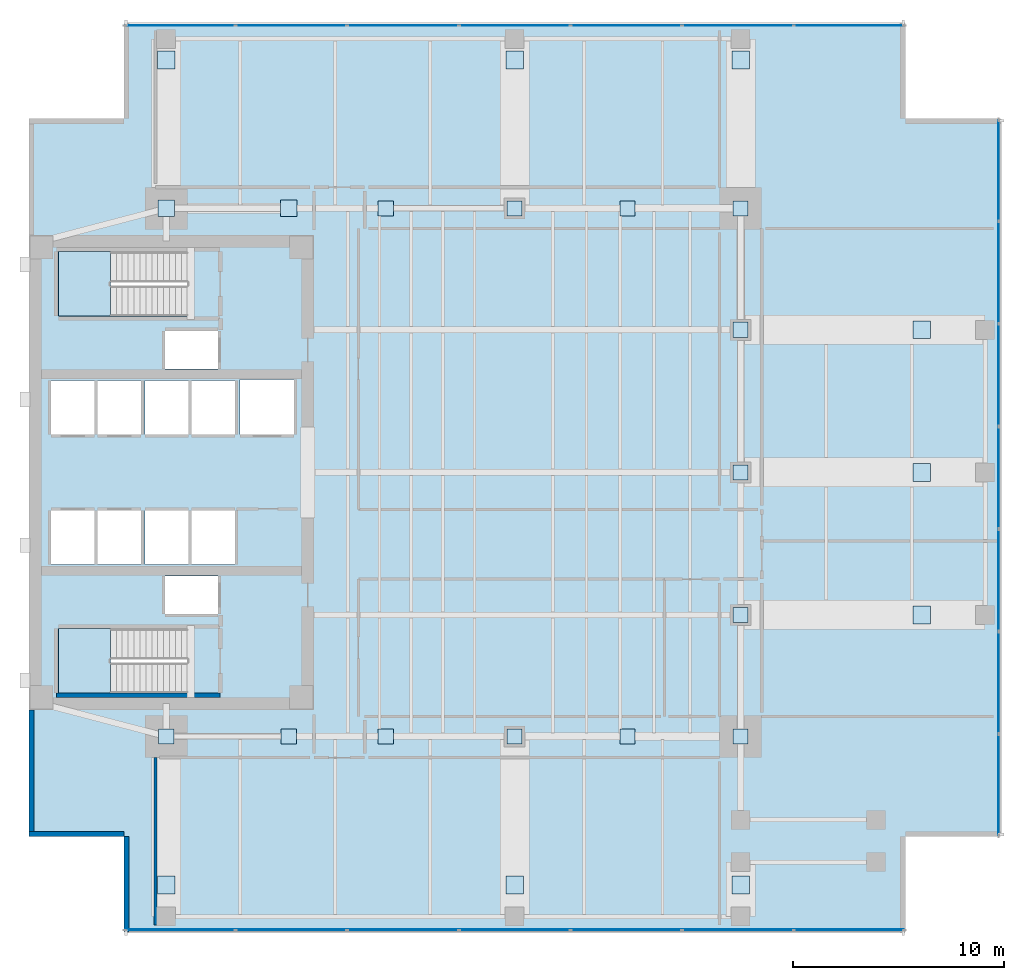
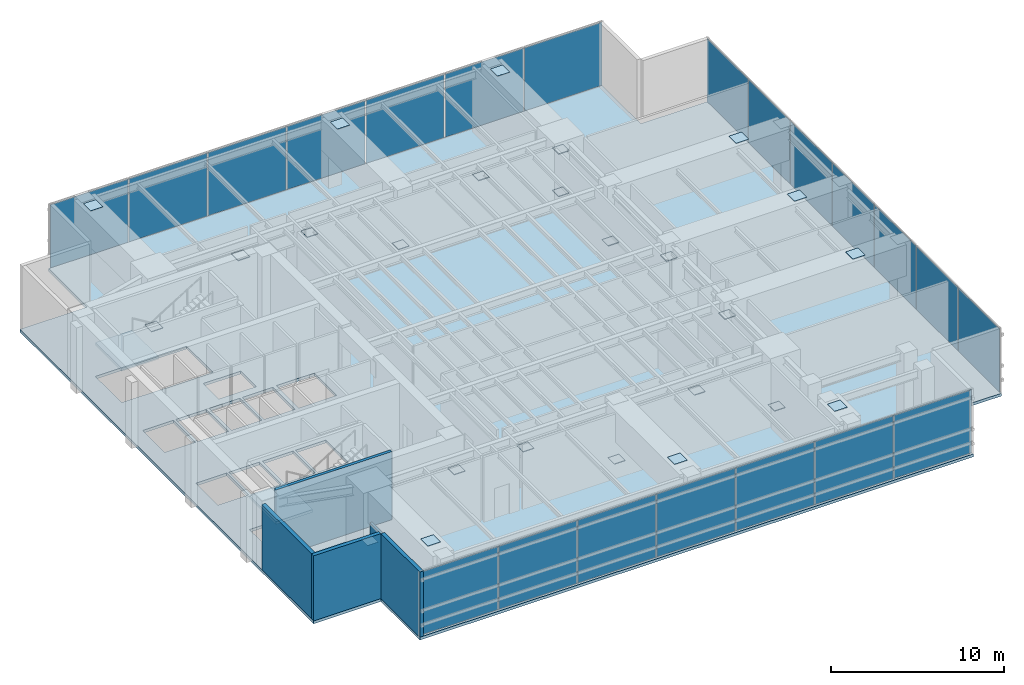
# One storey, part 7 of 14: 46 plates, 5 walls, 3 slabs, 5 elements without a shape of their own.
"""IFC4 building model written with IfcOpenShell, lengths in metres."""

from ifc_helpers import new_model, si_unit, direction, frame, frame_2d, origin, origin_2d, place, context, subcontext, project, spatial, polyline, rectangle, outline, extrude, material, layer, layer_set, type_object, element, aggregate, save


model = new_model("IFC4")

# Units and contexts
model_context = context("Model", 3, precision=1e-05, world=origin(), true_north=direction((0.0, 1.0)))
body_context = subcontext(model_context, "Body", "Model", "MODEL_VIEW")
ifc_project = project(units=[si_unit("LENGTHUNIT", "METRE"), si_unit("AREAUNIT", "SQUARE_METRE"), si_unit("VOLUMEUNIT", "CUBIC_METRE"), si_unit("PLANEANGLEUNIT", "RADIAN"), si_unit("MASSUNIT", "GRAM", prefix="KILO")], contexts=[model_context])

# Site, building, storey
site_placement = place(None, origin())
site = spatial("IfcSite", under=ifc_project, at=site_placement, CompositionType="ELEMENT")
building_placement = place(site_placement, origin())
building = spatial("IfcBuilding", under=site, at=building_placement, Name="Kinhvarn Gate Tower", CompositionType="ELEMENT")
storey_placement = place(building_placement, frame((0.0, 0.0, 173.25)))
storey = spatial("IfcBuildingStorey", under=building, at=storey_placement, Name="L46", CompositionType="ELEMENT", Elevation=173.25)

# Curtain wall, plates
ifc_material_1 = material(Name="Anodised aluminium AW-6063", Category="aluminium")
ifc_layer_1 = layer(ifc_material_1, 0.179931640625)
ifc_layer_set_1 = layer_set([ifc_layer_1], Name="Anodised aluminium AW-6063")
curtain_wall_type = type_object("IfcCurtainWallType", Name="CW-SYS-3", PredefinedType="NOTDEFINED", material=ifc_layer_set_1)
curtain_wall_1_placement = place(storey_placement, origin())
curtain_wall_1 = element("IfcCurtainWall", 1, at=curtain_wall_1_placement, inside=storey, type_object=curtain_wall_type, Name="Curtain Wall CW3 (L46)", PredefinedType="NOTDEFINED")
ifc_material_2 = material(Name="Fired architectural terracotta", Category="masonry")
ifc_layer_2 = layer(ifc_material_2, 0.0400390625)
ifc_layer_set_2 = layer_set([ifc_layer_2], Name="Fired architectural terracotta")
plate_type_1 = type_object("IfcPlateType", Name="CW-PNL-TER", PredefinedType="CURTAIN_PANEL", material=ifc_layer_set_2)
plate_1_placement = place(storey_placement, frame((11.6591796875, 3.590087890625, 0.070068359375), z_axis=(0.0, 0.0, 1.0), x_axis=(1.0, 0.0, 0.0)))
plate_1 = element("IfcPlate", 2, at=plate_1_placement, type_object=plate_type_1, Name="CW3 panel 1.1", PredefinedType="CURTAIN_PANEL", context=body_context, shape_type="SweptSolid", body=[
    extrude(rectangle(XDim=5.188232421875, YDim=0.0400390625, at=origin_2d()), origin(), (0.0, 0.0, 1.0), 4.4599609375),
])
plate_2_placement = place(storey_placement, frame((16.928466796875, 3.590087890625, 0.070068359375), z_axis=(0.0, 0.0, 1.0), x_axis=(1.0, 0.0, 0.0)))
plate_2 = element("IfcPlate", 3, at=plate_2_placement, type_object=plate_type_1, Name="CW3 panel 2.1", PredefinedType="CURTAIN_PANEL", context=body_context, shape_type="SweptSolid", body=[
    extrude(rectangle(XDim=5.220703125, YDim=0.0400390625, at=origin_2d()), origin(), (0.0, 0.0, 1.0), 4.4599609375),
])
plate_3_placement = place(storey_placement, frame((22.21435546875, 3.590087890625, 0.070068359375), z_axis=(0.0, 0.0, 1.0), x_axis=(1.0, 0.0, 0.0)))
plate_3 = element("IfcPlate", 4, at=plate_3_placement, type_object=plate_type_1, Name="CW3 panel 3.1", PredefinedType="CURTAIN_PANEL", context=body_context, shape_type="SweptSolid", body=[
    extrude(rectangle(XDim=5.220703125, YDim=0.0400390625, at=origin_2d()), origin(), (0.0, 0.0, 1.0), 4.4599609375),
])
plate_4_placement = place(storey_placement, frame((27.5, 3.590087890625, 0.070068359375), z_axis=(0.0, 0.0, 1.0), x_axis=(1.0, 0.0, 0.0)))
plate_4 = element("IfcPlate", 5, at=plate_4_placement, type_object=plate_type_1, Name="CW3 panel 4.1", PredefinedType="CURTAIN_PANEL", context=body_context, shape_type="SweptSolid", body=[
    extrude(rectangle(XDim=5.220703125, YDim=0.0400390625, at=origin_2d()), origin(), (0.0, 0.0, 1.0), 4.4599609375),
])
plate_5_placement = place(storey_placement, frame((32.78564453125, 3.590087890625, 0.070068359375), z_axis=(0.0, 0.0, 1.0), x_axis=(1.0, 0.0, 0.0)))
plate_5 = element("IfcPlate", 6, at=plate_5_placement, type_object=plate_type_1, Name="CW3 panel 5.1", PredefinedType="CURTAIN_PANEL", context=body_context, shape_type="SweptSolid", body=[
    extrude(rectangle(XDim=5.220703125, YDim=0.0400390625, at=origin_2d()), origin(), (0.0, 0.0, 1.0), 4.4599609375),
])
plate_6_placement = place(storey_placement, frame((38.071533203125, 3.590087890625, 0.070068359375), z_axis=(0.0, 0.0, 1.0), x_axis=(1.0, 0.0, 0.0)))
plate_6 = element("IfcPlate", 7, at=plate_6_placement, type_object=plate_type_1, Name="CW3 panel 6.1", PredefinedType="CURTAIN_PANEL", context=body_context, shape_type="SweptSolid", body=[
    extrude(rectangle(XDim=5.220703125, YDim=0.0400390625, at=origin_2d()), origin(), (0.0, 0.0, 1.0), 4.4599609375),
])
plate_7_placement = place(storey_placement, frame((43.3408203125, 3.590087890625, 0.070068359375), z_axis=(0.0, 0.0, 1.0), x_axis=(1.0, 0.0, 0.0)))
plate_7 = element("IfcPlate", 8, at=plate_7_placement, type_object=plate_type_1, Name="CW3 panel 7.1", PredefinedType="CURTAIN_PANEL", context=body_context, shape_type="SweptSolid", body=[
    extrude(rectangle(XDim=5.188232421875, YDim=0.0400390625, at=origin_2d()), origin(), (0.0, 0.0, 1.0), 4.4599609375),
])
aggregate(curtain_wall_1, [plate_1, plate_2, plate_3, plate_4, plate_5, plate_6, plate_7])

curtain_wall_2_placement = place(storey_placement, origin())
curtain_wall_2 = element("IfcCurtainWall", 9, at=curtain_wall_2_placement, inside=storey, type_object=curtain_wall_type, Name="Curtain Wall CW3 (L46)", PredefinedType="NOTDEFINED")
plate_8_placement = place(storey_placement, frame((43.3408203125, 46.409912109375, 0.070068359375), z_axis=(0.0, 0.0, 1.0), x_axis=(-1.0, 0.0, 0.0)))
plate_8 = element("IfcPlate", 10, at=plate_8_placement, type_object=plate_type_1, Name="CW3 panel 1.1", PredefinedType="CURTAIN_PANEL", context=body_context, shape_type="SweptSolid", body=[
    extrude(rectangle(XDim=5.188232421875, YDim=0.0400390625, at=origin_2d()), origin(), (0.0, 0.0, 1.0), 4.4599609375),
])
plate_9_placement = place(storey_placement, frame((38.071533203125, 46.409912109375, 0.070068359375), z_axis=(0.0, 0.0, 1.0), x_axis=(-1.0, 0.0, 0.0)))
plate_9 = element("IfcPlate", 11, at=plate_9_placement, type_object=plate_type_1, Name="CW3 panel 2.1", PredefinedType="CURTAIN_PANEL", context=body_context, shape_type="SweptSolid", body=[
    extrude(rectangle(XDim=5.220703125, YDim=0.0400390625, at=origin_2d()), origin(), (0.0, 0.0, 1.0), 4.4599609375),
])
plate_10_placement = place(storey_placement, frame((32.78564453125, 46.409912109375, 0.070068359375), z_axis=(0.0, 0.0, 1.0), x_axis=(-1.0, 0.0, 0.0)))
plate_10 = element("IfcPlate", 12, at=plate_10_placement, type_object=plate_type_1, Name="CW3 panel 3.1", PredefinedType="CURTAIN_PANEL", context=body_context, shape_type="SweptSolid", body=[
    extrude(rectangle(XDim=5.220703125, YDim=0.0400390625, at=origin_2d()), origin(), (0.0, 0.0, 1.0), 4.4599609375),
])
plate_11_placement = place(storey_placement, frame((27.5, 46.409912109375, 0.070068359375), z_axis=(0.0, 0.0, 1.0), x_axis=(-1.0, 0.0, 0.0)))
plate_11 = element("IfcPlate", 13, at=plate_11_placement, type_object=plate_type_1, Name="CW3 panel 4.1", PredefinedType="CURTAIN_PANEL", context=body_context, shape_type="SweptSolid", body=[
    extrude(rectangle(XDim=5.220703125, YDim=0.0400390625, at=origin_2d()), origin(), (0.0, 0.0, 1.0), 4.4599609375),
])
plate_12_placement = place(storey_placement, frame((22.21435546875, 46.409912109375, 0.070068359375), z_axis=(0.0, 0.0, 1.0), x_axis=(-1.0, 0.0, 0.0)))
plate_12 = element("IfcPlate", 14, at=plate_12_placement, type_object=plate_type_1, Name="CW3 panel 5.1", PredefinedType="CURTAIN_PANEL", context=body_context, shape_type="SweptSolid", body=[
    extrude(rectangle(XDim=5.220703125, YDim=0.0400390625, at=origin_2d()), origin(), (0.0, 0.0, 1.0), 4.4599609375),
])
plate_13_placement = place(storey_placement, frame((16.928466796875, 46.409912109375, 0.070068359375), z_axis=(0.0, 0.0, 1.0), x_axis=(-1.0, 0.0, 0.0)))
plate_13 = element("IfcPlate", 15, at=plate_13_placement, type_object=plate_type_1, Name="CW3 panel 6.1", PredefinedType="CURTAIN_PANEL", context=body_context, shape_type="SweptSolid", body=[
    extrude(rectangle(XDim=5.220703125, YDim=0.0400390625, at=origin_2d()), origin(), (0.0, 0.0, 1.0), 4.4599609375),
])
plate_14_placement = place(storey_placement, frame((11.6591796875, 46.409912109375, 0.070068359375), z_axis=(0.0, 0.0, 1.0), x_axis=(-1.0, 0.0, 0.0)))
plate_14 = element("IfcPlate", 16, at=plate_14_placement, type_object=plate_type_1, Name="CW3 panel 7.1", PredefinedType="CURTAIN_PANEL", context=body_context, shape_type="SweptSolid", body=[
    extrude(rectangle(XDim=5.188232421875, YDim=0.0400390625, at=origin_2d()), origin(), (0.0, 0.0, 1.0), 4.4599609375),
])
aggregate(curtain_wall_2, [plate_8, plate_9, plate_10, plate_11, plate_12, plate_13, plate_14])

curtain_wall_3_placement = place(storey_placement, origin())
curtain_wall_3 = element("IfcCurtainWall", 17, at=curtain_wall_3_placement, inside=storey, type_object=curtain_wall_type, Name="Curtain Wall CW3 (L46)", PredefinedType="NOTDEFINED")
plate_15_placement = place(storey_placement, frame((50.409912109375, 10.44482421875, 0.070068359375), z_axis=(0.0, 0.0, 1.0), x_axis=(0.0, 1.0, 0.0)))
plate_15 = element("IfcPlate", 18, at=plate_15_placement, type_object=plate_type_1, Name="CW3 panel 1.1", PredefinedType="CURTAIN_PANEL", context=body_context, shape_type="SweptSolid", body=[
    extrude(rectangle(XDim=4.759521484375, YDim=0.0400390625, at=origin_2d()), origin(), (0.0, 0.0, 1.0), 4.4599609375),
])
plate_16_placement = place(storey_placement, frame((50.409912109375, 15.28564453125, 0.070068359375), z_axis=(0.0, 0.0, 1.0), x_axis=(0.0, 1.0, 0.0)))
plate_16 = element("IfcPlate", 19, at=plate_16_placement, type_object=plate_type_1, Name="CW3 panel 2.1", PredefinedType="CURTAIN_PANEL", context=body_context, shape_type="SweptSolid", body=[
    extrude(rectangle(XDim=4.792236328125, YDim=0.0400390625, at=origin_2d()), origin(), (0.0, 0.0, 1.0), 4.4599609375),
])
plate_17_placement = place(storey_placement, frame((50.409912109375, 20.142822265625, 0.070068359375), z_axis=(0.0, 0.0, 1.0), x_axis=(0.0, 1.0, 0.0)))
plate_17 = element("IfcPlate", 20, at=plate_17_placement, type_object=plate_type_1, Name="CW3 panel 3.1", PredefinedType="CURTAIN_PANEL", context=body_context, shape_type="SweptSolid", body=[
    extrude(rectangle(XDim=4.792236328125, YDim=0.0400390625, at=origin_2d()), origin(), (0.0, 0.0, 1.0), 4.4599609375),
])
plate_18_placement = place(storey_placement, frame((50.409912109375, 25.0, 0.070068359375), z_axis=(0.0, 0.0, 1.0), x_axis=(0.0, 1.0, 0.0)))
plate_18 = element("IfcPlate", 21, at=plate_18_placement, type_object=plate_type_1, Name="CW3 panel 4.1", PredefinedType="CURTAIN_PANEL", context=body_context, shape_type="SweptSolid", body=[
    extrude(rectangle(XDim=4.792236328125, YDim=0.0400390625, at=origin_2d()), origin(), (0.0, 0.0, 1.0), 4.4599609375),
])
plate_19_placement = place(storey_placement, frame((50.409912109375, 29.857177734375, 0.070068359375), z_axis=(0.0, 0.0, 1.0), x_axis=(0.0, 1.0, 0.0)))
plate_19 = element("IfcPlate", 22, at=plate_19_placement, type_object=plate_type_1, Name="CW3 panel 5.1", PredefinedType="CURTAIN_PANEL", context=body_context, shape_type="SweptSolid", body=[
    extrude(rectangle(XDim=4.792236328125, YDim=0.0400390625, at=origin_2d()), origin(), (0.0, 0.0, 1.0), 4.4599609375),
])
plate_20_placement = place(storey_placement, frame((50.409912109375, 34.71435546875, 0.070068359375), z_axis=(0.0, 0.0, 1.0), x_axis=(0.0, 1.0, 0.0)))
plate_20 = element("IfcPlate", 23, at=plate_20_placement, type_object=plate_type_1, Name="CW3 panel 6.1", PredefinedType="CURTAIN_PANEL", context=body_context, shape_type="SweptSolid", body=[
    extrude(rectangle(XDim=4.792236328125, YDim=0.0400390625, at=origin_2d()), origin(), (0.0, 0.0, 1.0), 4.4599609375),
])
plate_21_placement = place(storey_placement, frame((50.409912109375, 39.55517578125, 0.070068359375), z_axis=(0.0, 0.0, 1.0), x_axis=(0.0, 1.0, 0.0)))
plate_21 = element("IfcPlate", 24, at=plate_21_placement, type_object=plate_type_1, Name="CW3 panel 7.1", PredefinedType="CURTAIN_PANEL", context=body_context, shape_type="SweptSolid", body=[
    extrude(rectangle(XDim=4.759521484375, YDim=0.0400390625, at=origin_2d()), origin(), (0.0, 0.0, 1.0), 4.4599609375),
])
aggregate(curtain_wall_3, [plate_15, plate_16, plate_17, plate_18, plate_19, plate_20, plate_21])

# Plates
ifc_material_3 = material(Name="Steel S355", Category="steel")
ifc_layer_3 = layer(ifc_material_3, 0.030029296875)
ifc_layer_set_3 = layer_set([ifc_layer_3], Name="Steel S355")
plate_type_2 = type_object("IfcPlateType", Name="PLT-NODE-KN2", PredefinedType="USERDEFINED", material=ifc_layer_set_3)
plate_22_placement = place(storey_placement, frame((0.0, 0.0, 3.485107421875)))
element("IfcPlate", 25, at=plate_22_placement, inside=storey, type_object=plate_type_2, Name="Structural Node Cap Plate KN2", ObjectType="GUSSET_PLATE", PredefinedType="USERDEFINED", context=body_context, shape_type="SweptSolid", body=[
    extrude(outline(polyline([(16.43994140625, 12.389892578125), (17.159912109375, 12.389892578125), (17.159912109375, 13.110107421875), (16.43994140625, 13.110107421875), (16.43994140625, 12.389892578125)])), origin(), (0.0, 0.0, 1.0), 0.02978515625),
])
plate_23_placement = place(storey_placement, frame((0.0, 0.0, 3.485107421875)))
element("IfcPlate", 26, at=plate_23_placement, inside=storey, type_object=plate_type_2, Name="Structural Node Cap Plate KN2", ObjectType="GUSSET_PLATE", PredefinedType="USERDEFINED", context=body_context, shape_type="SweptSolid", body=[
    extrude(outline(polyline([(21.0400390625, 12.389892578125), (21.760009765625, 12.389892578125), (21.760009765625, 13.110107421875), (21.0400390625, 13.110107421875), (21.0400390625, 12.389892578125)])), origin(), (0.0, 0.0, 1.0), 0.02978515625),
])
plate_24_placement = place(storey_placement, frame((0.0, 0.0, 0.485107421875)))
element("IfcPlate", 27, at=plate_24_placement, inside=storey, type_object=plate_type_2, Name="Structural Node Cap Plate KN2", ObjectType="GUSSET_PLATE", PredefinedType="USERDEFINED", context=body_context, shape_type="SweptSolid", body=[
    extrude(outline(polyline([(27.139892578125, 12.389892578125), (27.860107421875, 12.389892578125), (27.860107421875, 13.110107421875), (27.139892578125, 13.110107421875), (27.139892578125, 12.389892578125)])), origin(), (0.0, 0.0, 1.0), 0.02978515625),
])
plate_25_placement = place(storey_placement, frame((0.0, 0.0, 3.485107421875)))
element("IfcPlate", 28, at=plate_25_placement, inside=storey, type_object=plate_type_2, Name="Structural Node Cap Plate KN2", ObjectType="GUSSET_PLATE", PredefinedType="USERDEFINED", context=body_context, shape_type="SweptSolid", body=[
    extrude(outline(polyline([(32.489990234375, 12.389892578125), (33.2099609375, 12.389892578125), (33.2099609375, 13.110107421875), (32.489990234375, 13.110107421875), (32.489990234375, 12.389892578125)])), origin(), (0.0, 0.0, 1.0), 0.02978515625),
])
plate_26_placement = place(storey_placement, frame((0.0, 0.0, 3.485107421875)))
element("IfcPlate", 29, at=plate_26_placement, inside=storey, type_object=plate_type_2, Name="Structural Node Cap Plate KN2", ObjectType="GUSSET_PLATE", PredefinedType="USERDEFINED", context=body_context, shape_type="SweptSolid", body=[
    extrude(outline(polyline([(16.409912109375, 37.360107421875), (17.18994140625, 37.360107421875), (17.18994140625, 38.139892578125), (16.409912109375, 38.139892578125), (16.409912109375, 37.360107421875)])), origin(), (0.0, 0.0, 1.0), 0.02978515625),
])
plate_27_placement = place(storey_placement, frame((0.0, 0.0, 3.485107421875)))
element("IfcPlate", 30, at=plate_27_placement, inside=storey, type_object=plate_type_2, Name="Structural Node Cap Plate KN2", ObjectType="GUSSET_PLATE", PredefinedType="USERDEFINED", context=body_context, shape_type="SweptSolid", body=[
    extrude(outline(polyline([(21.0400390625, 37.389892578125), (21.760009765625, 37.389892578125), (21.760009765625, 38.110107421875), (21.0400390625, 38.110107421875), (21.0400390625, 37.389892578125)])), origin(), (0.0, 0.0, 1.0), 0.02978515625),
])
plate_28_placement = place(storey_placement, frame((0.0, 0.0, 0.485107421875)))
element("IfcPlate", 31, at=plate_28_placement, inside=storey, type_object=plate_type_2, Name="Structural Node Cap Plate KN2", ObjectType="GUSSET_PLATE", PredefinedType="USERDEFINED", context=body_context, shape_type="SweptSolid", body=[
    extrude(outline(polyline([(27.139892578125, 37.389892578125), (27.860107421875, 37.389892578125), (27.860107421875, 38.110107421875), (27.139892578125, 38.110107421875), (27.139892578125, 37.389892578125)])), origin(), (0.0, 0.0, 1.0), 0.02978515625),
])
plate_29_placement = place(storey_placement, frame((0.0, 0.0, 3.485107421875)))
element("IfcPlate", 32, at=plate_29_placement, inside=storey, type_object=plate_type_2, Name="Structural Node Cap Plate KN2", ObjectType="GUSSET_PLATE", PredefinedType="USERDEFINED", context=body_context, shape_type="SweptSolid", body=[
    extrude(outline(polyline([(32.489990234375, 37.389892578125), (33.2099609375, 37.389892578125), (33.2099609375, 38.110107421875), (32.489990234375, 38.110107421875), (32.489990234375, 37.389892578125)])), origin(), (0.0, 0.0, 1.0), 0.02978515625),
])
plate_30_placement = place(storey_placement, frame((0.0, 0.0, 3.485107421875)))
element("IfcPlate", 33, at=plate_30_placement, inside=storey, type_object=plate_type_2, Name="Structural Node Cap Plate KN2", ObjectType="GUSSET_PLATE", PredefinedType="USERDEFINED", context=body_context, shape_type="SweptSolid", body=[
    extrude(outline(polyline([(37.840087890625, 18.139892578125), (38.56005859375, 18.139892578125), (38.56005859375, 18.860107421875), (37.840087890625, 18.860107421875), (37.840087890625, 18.139892578125)])), origin(), (0.0, 0.0, 1.0), 0.02978515625),
])
plate_31_placement = place(storey_placement, frame((0.0, 0.0, 3.485107421875)))
element("IfcPlate", 34, at=plate_31_placement, inside=storey, type_object=plate_type_2, Name="Structural Node Cap Plate KN2", ObjectType="GUSSET_PLATE", PredefinedType="USERDEFINED", context=body_context, shape_type="SweptSolid", body=[
    extrude(outline(polyline([(37.840087890625, 24.889892578125), (38.56005859375, 24.889892578125), (38.56005859375, 25.610107421875), (37.840087890625, 25.610107421875), (37.840087890625, 24.889892578125)])), origin(), (0.0, 0.0, 1.0), 0.02978515625),
])
plate_32_placement = place(storey_placement, frame((0.0, 0.0, 0.485107421875)))
element("IfcPlate", 35, at=plate_32_placement, inside=storey, type_object=plate_type_2, Name="Structural Node Cap Plate KN2", ObjectType="GUSSET_PLATE", PredefinedType="USERDEFINED", context=body_context, shape_type="SweptSolid", body=[
    extrude(outline(polyline([(37.840087890625, 31.639892578125), (38.56005859375, 31.639892578125), (38.56005859375, 32.360107421875), (37.840087890625, 32.360107421875), (37.840087890625, 31.639892578125)])), origin(), (0.0, 0.0, 1.0), 0.02978515625),
])
plate_33_placement = place(storey_placement, frame((0.0, 0.0, 3.485107421875)))
element("IfcPlate", 36, at=plate_33_placement, inside=storey, type_object=plate_type_2, Name="Structural Node Cap Plate KN2", ObjectType="GUSSET_PLATE", PredefinedType="USERDEFINED", context=body_context, shape_type="SweptSolid", body=[
    extrude(outline(polyline([(37.840087890625, 37.389892578125), (38.56005859375, 37.389892578125), (38.56005859375, 38.110107421875), (37.840087890625, 38.110107421875), (37.840087890625, 37.389892578125)])), origin(), (0.0, 0.0, 1.0), 0.02978515625),
])
ifc_layer_4 = layer(ifc_material_3, 0.02392578125)
ifc_layer_set_4 = layer_set([ifc_layer_4], Name="Steel S355")
plate_type_3 = type_object("IfcPlateType", Name="PLT-NODE-ON3", PredefinedType="USERDEFINED", material=ifc_layer_set_4)
plate_34_placement = place(storey_placement, frame((0.0, 0.0, 0.488037109375)))
element("IfcPlate", 37, at=plate_34_placement, inside=storey, type_object=plate_type_3, Name="Structural Node Cap Plate ON3", ObjectType="GUSSET_PLATE", PredefinedType="USERDEFINED", context=body_context, shape_type="SweptSolid", body=[
    extrude(outline(polyline([(10.639892578125, 12.389892578125), (11.360107421875, 12.389892578125), (11.360107421875, 13.110107421875), (10.639892578125, 13.110107421875), (10.639892578125, 12.389892578125)])), origin(), (0.0, 0.0, 1.0), 0.02392578125),
])
plate_35_placement = place(storey_placement, frame((0.0, 0.0, 0.488037109375)))
element("IfcPlate", 38, at=plate_35_placement, inside=storey, type_object=plate_type_3, Name="Structural Node Cap Plate ON3", ObjectType="GUSSET_PLATE", PredefinedType="USERDEFINED", context=body_context, shape_type="SweptSolid", body=[
    extrude(outline(polyline([(10.610107421875, 37.360107421875), (11.389892578125, 37.360107421875), (11.389892578125, 38.139892578125), (10.610107421875, 38.139892578125), (10.610107421875, 37.360107421875)])), origin(), (0.0, 0.0, 1.0), 0.02392578125),
])
ifc_layer_5 = layer(ifc_material_3, 0.02587890625)
ifc_layer_set_5 = layer_set([ifc_layer_5], Name="Steel S355")
plate_type_4 = type_object("IfcPlateType", Name="PLT-NODE-ON4", PredefinedType="USERDEFINED", material=ifc_layer_set_5)
plate_36_placement = place(storey_placement, frame((0.0, 0.0, 0.487060546875)))
element("IfcPlate", 39, at=plate_36_placement, inside=storey, type_object=plate_type_4, Name="Structural Node Cap Plate ON4", ObjectType="GUSSET_PLATE", PredefinedType="USERDEFINED", context=body_context, shape_type="SweptSolid", body=[
    extrude(outline(polyline([(37.840087890625, 12.389892578125), (38.56005859375, 12.389892578125), (38.56005859375, 13.110107421875), (37.840087890625, 13.110107421875), (37.840087890625, 12.389892578125)])), origin(), (0.0, 0.0, 1.0), 0.02587890625),
])
plate_37_placement = place(storey_placement, frame((0.0, 0.0, 0.487060546875)))
element("IfcPlate", 40, at=plate_37_placement, inside=storey, type_object=plate_type_4, Name="Structural Node Cap Plate ON4", ObjectType="GUSSET_PLATE", PredefinedType="USERDEFINED", context=body_context, shape_type="SweptSolid", body=[
    extrude(outline(polyline([(37.840087890625, 37.389892578125), (38.56005859375, 37.389892578125), (38.56005859375, 38.110107421875), (37.840087890625, 38.110107421875), (37.840087890625, 37.389892578125)])), origin(), (0.0, 0.0, 1.0), 0.02587890625),
])
ifc_layer_6 = layer(ifc_material_3, 0.030029296875)
ifc_layer_set_6 = layer_set([ifc_layer_6], Name="Steel S355")
plate_type_5 = type_object("IfcPlateType", Name="PLT-NODE-TN2", PredefinedType="USERDEFINED", material=ifc_layer_set_6)
plate_38_placement = place(storey_placement, frame((0.0, 0.0, 4.77490234375)))
element("IfcPlate", 41, at=plate_38_placement, inside=storey, type_object=plate_type_5, Name="Structural Node Cap Plate TN2", ObjectType="GUSSET_PLATE", PredefinedType="USERDEFINED", context=body_context, shape_type="SweptSolid", body=[
    extrude(outline(polyline([(46.360107421875, 18.080078125), (47.199951171875, 18.080078125), (47.199951171875, 18.919921875), (46.360107421875, 18.919921875), (46.360107421875, 18.080078125)])), origin(), (0.0, 0.0, 1.0), 0.030029296875),
])
plate_39_placement = place(storey_placement, frame((0.0, 0.0, 4.77490234375)))
element("IfcPlate", 42, at=plate_39_placement, inside=storey, type_object=plate_type_5, Name="Structural Node Cap Plate TN2", ObjectType="GUSSET_PLATE", PredefinedType="USERDEFINED", context=body_context, shape_type="SweptSolid", body=[
    extrude(outline(polyline([(46.360107421875, 24.830078125), (47.199951171875, 24.830078125), (47.199951171875, 25.669921875), (46.360107421875, 25.669921875), (46.360107421875, 24.830078125)])), origin(), (0.0, 0.0, 1.0), 0.030029296875),
])
plate_40_placement = place(storey_placement, frame((0.0, 0.0, 4.77490234375)))
element("IfcPlate", 43, at=plate_40_placement, inside=storey, type_object=plate_type_5, Name="Structural Node Cap Plate TN2", ObjectType="GUSSET_PLATE", PredefinedType="USERDEFINED", context=body_context, shape_type="SweptSolid", body=[
    extrude(outline(polyline([(46.360107421875, 31.580078125), (47.199951171875, 31.580078125), (47.199951171875, 32.419921875), (46.360107421875, 32.419921875), (46.360107421875, 31.580078125)])), origin(), (0.0, 0.0, 1.0), 0.030029296875),
])
plate_41_placement = place(storey_placement, frame((0.0, 0.0, 4.77490234375)))
element("IfcPlate", 44, at=plate_41_placement, inside=storey, type_object=plate_type_5, Name="Structural Node Cap Plate TN2", ObjectType="GUSSET_PLATE", PredefinedType="USERDEFINED", context=body_context, shape_type="SweptSolid", body=[
    extrude(outline(polyline([(10.580078125, 5.300048828125), (11.419921875, 5.300048828125), (11.419921875, 6.139892578125), (10.580078125, 6.139892578125), (10.580078125, 5.300048828125)])), origin(), (0.0, 0.0, 1.0), 0.030029296875),
])
plate_42_placement = place(storey_placement, frame((0.0, 0.0, 4.77490234375)))
element("IfcPlate", 45, at=plate_42_placement, inside=storey, type_object=plate_type_5, Name="Structural Node Cap Plate TN2", ObjectType="GUSSET_PLATE", PredefinedType="USERDEFINED", context=body_context, shape_type="SweptSolid", body=[
    extrude(outline(polyline([(27.080078125, 5.300048828125), (27.919921875, 5.300048828125), (27.919921875, 6.139892578125), (27.080078125, 6.139892578125), (27.080078125, 5.300048828125)])), origin(), (0.0, 0.0, 1.0), 0.030029296875),
])
plate_43_placement = place(storey_placement, frame((0.0, 0.0, 4.77490234375)))
element("IfcPlate", 46, at=plate_43_placement, inside=storey, type_object=plate_type_5, Name="Structural Node Cap Plate TN2", ObjectType="GUSSET_PLATE", PredefinedType="USERDEFINED", context=body_context, shape_type="SweptSolid", body=[
    extrude(outline(polyline([(37.780029296875, 5.300048828125), (38.6201171875, 5.300048828125), (38.6201171875, 6.139892578125), (37.780029296875, 6.139892578125), (37.780029296875, 5.300048828125)])), origin(), (0.0, 0.0, 1.0), 0.030029296875),
])
plate_44_placement = place(storey_placement, frame((0.0, 0.0, 4.77490234375)))
element("IfcPlate", 47, at=plate_44_placement, inside=storey, type_object=plate_type_5, Name="Structural Node Cap Plate TN2", ObjectType="GUSSET_PLATE", PredefinedType="USERDEFINED", context=body_context, shape_type="SweptSolid", body=[
    extrude(outline(polyline([(10.580078125, 44.360107421875), (11.419921875, 44.360107421875), (11.419921875, 45.199951171875), (10.580078125, 45.199951171875), (10.580078125, 44.360107421875)])), origin(), (0.0, 0.0, 1.0), 0.030029296875),
])
plate_45_placement = place(storey_placement, frame((0.0, 0.0, 4.77490234375)))
element("IfcPlate", 48, at=plate_45_placement, inside=storey, type_object=plate_type_5, Name="Structural Node Cap Plate TN2", ObjectType="GUSSET_PLATE", PredefinedType="USERDEFINED", context=body_context, shape_type="SweptSolid", body=[
    extrude(outline(polyline([(27.080078125, 44.360107421875), (27.919921875, 44.360107421875), (27.919921875, 45.199951171875), (27.080078125, 45.199951171875), (27.080078125, 44.360107421875)])), origin(), (0.0, 0.0, 1.0), 0.030029296875),
])
plate_46_placement = place(storey_placement, frame((0.0, 0.0, 4.77490234375)))
element("IfcPlate", 49, at=plate_46_placement, inside=storey, type_object=plate_type_5, Name="Structural Node Cap Plate TN2", ObjectType="GUSSET_PLATE", PredefinedType="USERDEFINED", context=body_context, shape_type="SweptSolid", body=[
    extrude(outline(polyline([(37.780029296875, 44.360107421875), (38.6201171875, 44.360107421875), (38.6201171875, 45.199951171875), (37.780029296875, 45.199951171875), (37.780029296875, 44.360107421875)])), origin(), (0.0, 0.0, 1.0), 0.030029296875),
])

# Slab
ifc_material_4 = material(Name="Concrete C50/60", Category="concrete")
ifc_layer_7 = layer(ifc_material_4, 0.199951171875)
ifc_layer_set_7 = layer_set([ifc_layer_7], Name="Concrete C50/60")
slab_type_1 = type_object("IfcSlabType", Name="SLB-REF-200", PredefinedType="FLOOR", material=ifc_layer_set_7)
slab_1_placement = place(storey_placement, frame((0.0, 0.0, -0.199951171875)))
element("IfcSlab", 50, at=slab_1_placement, inside=storey, type_object=slab_type_1, Name="Suspended Floor Slab L46", PredefinedType="FLOOR", context=body_context, shape_type="SweptSolid", body=[
    extrude(outline(polyline([(9.0, 3.5), (46.0, 3.5), (46.0, 8.0), (50.5, 8.0), (50.5, 42.0), (46.0, 42.0), (46.0, 46.5), (9.0, 46.5), (9.0, 42.0), (4.5, 42.0), (4.5, 8.0), (9.0, 8.0), (9.0, 3.5)]), holes=[polyline([(5.89990234375, 14.800048828125), (12.0, 14.800048828125), (12.0, 17.85009765625), (5.89990234375, 17.85009765625), (5.89990234375, 14.800048828125)]), polyline([(5.89990234375, 32.64990234375), (12.0, 32.64990234375), (12.0, 35.699951171875), (5.89990234375, 35.699951171875), (5.89990234375, 32.64990234375)]), polyline([(5.550048828125, 20.89990234375), (7.60009765625, 20.89990234375), (7.60009765625, 23.449951171875), (5.550048828125, 23.449951171875), (5.550048828125, 20.89990234375)]), polyline([(7.75, 20.89990234375), (9.800048828125, 20.89990234375), (9.800048828125, 23.449951171875), (7.75, 23.449951171875), (7.75, 20.89990234375)]), polyline([(5.550048828125, 27.050048828125), (7.60009765625, 27.050048828125), (7.60009765625, 29.60009765625), (5.550048828125, 29.60009765625), (5.550048828125, 27.050048828125)]), polyline([(7.75, 27.050048828125), (9.800048828125, 27.050048828125), (9.800048828125, 29.60009765625), (7.75, 29.60009765625), (7.75, 27.050048828125)]), polyline([(10.0, 20.89990234375), (12.050048828125, 20.89990234375), (12.050048828125, 23.449951171875), (10.0, 23.449951171875), (10.0, 20.89990234375)]), polyline([(12.199951171875, 20.89990234375), (14.25, 20.89990234375), (14.25, 23.449951171875), (12.199951171875, 23.449951171875), (12.199951171875, 20.89990234375)]), polyline([(10.0, 27.050048828125), (12.050048828125, 27.050048828125), (12.050048828125, 29.60009765625), (10.0, 29.60009765625), (10.0, 27.050048828125)]), polyline([(12.199951171875, 27.050048828125), (14.25, 27.050048828125), (14.25, 29.60009765625), (12.199951171875, 29.60009765625), (12.199951171875, 27.050048828125)]), polyline([(14.5, 27.050048828125), (17.050048828125, 27.050048828125), (17.050048828125, 29.64990234375), (14.5, 29.64990234375), (14.5, 27.050048828125)]), polyline([(10.949951171875, 18.550048828125), (13.449951171875, 18.550048828125), (13.449951171875, 20.35009765625), (10.949951171875, 20.35009765625), (10.949951171875, 18.550048828125)]), polyline([(10.949951171875, 30.14990234375), (13.449951171875, 30.14990234375), (13.449951171875, 31.949951171875), (10.949951171875, 31.949951171875), (10.949951171875, 30.14990234375)])]), origin(), (0.0, 0.0, 1.0), 0.199951171875),
])

# Stair, slab
ifc_material_5 = material(Name="Concrete C40/50", Category="concrete")
stair_type = type_object("IfcStairType", Name="STR-DLG-171", PredefinedType="HALF_TURN_STAIR", material=ifc_material_5)
stair_1_placement = place(storey_placement, origin())
stair_1 = element("IfcStair", 51, at=stair_1_placement, inside=storey, type_object=stair_type, Name="L46 Core Smokeproof Exit Stair ST1", PredefinedType="HALF_TURN_STAIR")
ifc_layer_8 = layer(ifc_material_5, 0.199951171875)
ifc_layer_set_8 = layer_set([ifc_layer_8], Name="Concrete C40/50")
slab_type_2 = type_object("IfcSlabType", Name="SLB-ST-LND", PredefinedType="LANDING", material=ifc_layer_set_8)
slab_2_placement = place(storey_placement, frame((0.0, 0.0, 2.199951171875)))
slab_2 = element("IfcSlab", 52, at=slab_2_placement, type_object=slab_type_2, Name="ST1 landing 1", PredefinedType="LANDING", context=body_context, shape_type="SweptSolid", body=[
    extrude(outline(polyline([(8.360107421875, 17.85009765625), (5.89990234375, 17.85009765625), (5.89990234375, 14.800048828125), (8.360107421875, 14.800048828125), (8.360107421875, 17.85009765625)])), origin(), (0.0, 0.0, 1.0), 0.199951171875),
])
aggregate(stair_1, [slab_2])

stair_2_placement = place(storey_placement, origin())
stair_2 = element("IfcStair", 53, at=stair_2_placement, inside=storey, type_object=stair_type, Name="L46 Core Smokeproof Exit Stair ST2", PredefinedType="HALF_TURN_STAIR")
slab_3_placement = place(storey_placement, frame((0.0, 0.0, 2.199951171875)))
slab_3 = element("IfcSlab", 54, at=slab_3_placement, type_object=slab_type_2, Name="ST2 landing 1", PredefinedType="LANDING", context=body_context, shape_type="SweptSolid", body=[
    extrude(outline(polyline([(8.360107421875, 35.699951171875), (5.89990234375, 35.699951171875), (5.89990234375, 32.64990234375), (8.360107421875, 32.64990234375), (8.360107421875, 35.699951171875)])), origin(), (0.0, 0.0, 1.0), 0.199951171875),
])
aggregate(stair_2, [slab_3])

# Walls
ifc_layer_9 = layer(ifc_material_2, 0.25)
ifc_layer_set_9 = layer_set([ifc_layer_9], Name="Fired architectural terracotta")
wall_type_1 = type_object("IfcWallType", Name="WL-EXT-250", PredefinedType="SOLIDWALL", material=ifc_layer_set_9)
wall_1_placement = place(storey_placement, frame((4.625, 14.0, 0.0), z_axis=(0.0, 0.0, 1.0), x_axis=(0.0, -1.0, 0.0)))
element("IfcWall", 55, at=wall_1_placement, inside=storey, type_object=wall_type_1, Name="Exterior Solidwall Wall EW-250 (L46 West-South)", PredefinedType="SOLIDWALL", context=body_context, shape_type="SweptSolid", body=[
    extrude(rectangle(XDim=6.0, YDim=0.25, at=frame_2d((3.0, 0.0))), origin(), (0.0, 0.0, 1.0), 4.60009765625),
])
for number, where, z_axis, x_axis, name in (
    (56, (4.5, 8.125, 0.0), (0.0, 0.0, 1.0), (1.0, 0.0, 0.0), "Exterior Solidwall Wall EW-250 (L46 SW-Notch-1)"),
    (57, (9.125, 8.0, 0.0), (0.0, 0.0, 1.0), (0.0, -1.0, 0.0), "Exterior Solidwall Wall EW-250 (L46 SW-Notch-2)"),
):
    element("IfcWall", number, at=place(storey_placement, frame(where, z_axis=z_axis, x_axis=x_axis)), inside=storey, type_object=wall_type_1, Name=name, PredefinedType="SOLIDWALL", context=body_context, shape_type="SweptSolid", body=[
        extrude(rectangle(XDim=4.5, YDim=0.25, at=frame_2d((2.25, 0.0))), origin(), (0.0, 0.0, 1.0), 4.60009765625),
    ])
ifc_material_6 = material(Name="Gypsum acoustic partition board")
ifc_layer_10 = layer(ifc_material_6, 0.14990234375)
ifc_layer_set_10 = layer_set([ifc_layer_10], Name="Gypsum acoustic partition board")
wall_type_2 = type_object("IfcWallType", Name="WL-PRT-150F", PredefinedType="PARTITIONING", material=ifc_layer_set_10)
wall_2_placement = place(storey_placement, frame((10.5, 3.820068359375, 0.0), z_axis=(0.0, 0.0, 1.0), x_axis=(0.0, 1.0, 0.0)))
element("IfcWall", 58, at=wall_2_placement, inside=storey, type_object=wall_type_2, Name="Interior Partition PW-150F (L46)", PredefinedType="PARTITIONING", context=body_context, shape_type="SweptSolid", body=[
    extrude(rectangle(XDim=7.929931640625, YDim=0.14990234375, at=frame_2d((3.96484375, 0.0))), origin(), (0.0, 0.0, 1.0), 2.60009765625),
])
ifc_layer_11 = layer(ifc_material_5, 0.199951171875)
ifc_layer_set_11 = layer_set([ifc_layer_11], Name="Concrete C40/50")
wall_type_3 = type_object("IfcWallType", Name="WL-SHF-200", PredefinedType="SOLIDWALL", material=ifc_layer_set_11)
wall_3_placement = place(storey_placement, frame((5.800048828125, 14.699951171875, 0.0), z_axis=(0.0, 0.0, 1.0), x_axis=(1.0, 0.0, 0.0)))
element("IfcWall", 59, at=wall_3_placement, inside=storey, type_object=wall_type_3, Name="Stair ST1 South Shaft Wall (L46)", PredefinedType="SOLIDWALL", context=body_context, shape_type="SweptSolid", body=[
    extrude(rectangle(XDim=7.75, YDim=0.199951171875, at=frame_2d((3.875, 0.0))), origin(), (0.0, 0.0, 1.0), 4.800048828125),
])

save(model, "model.ifc")
